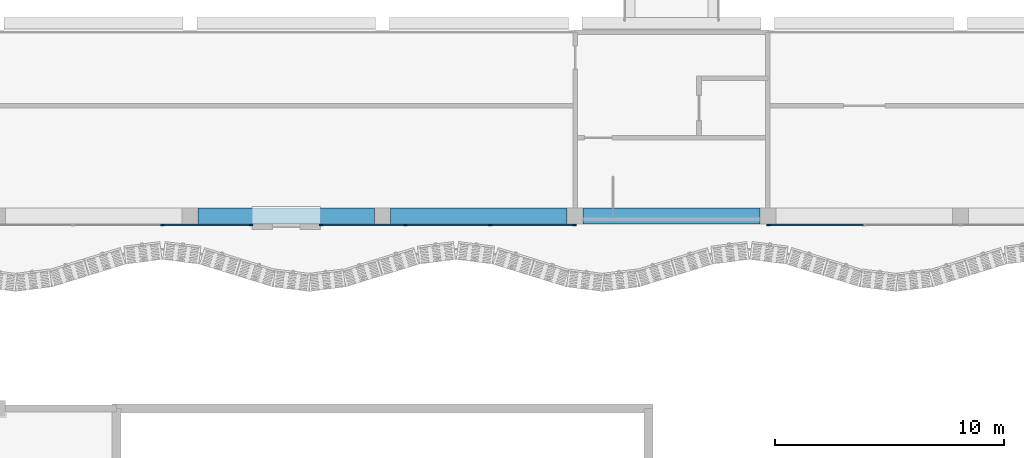
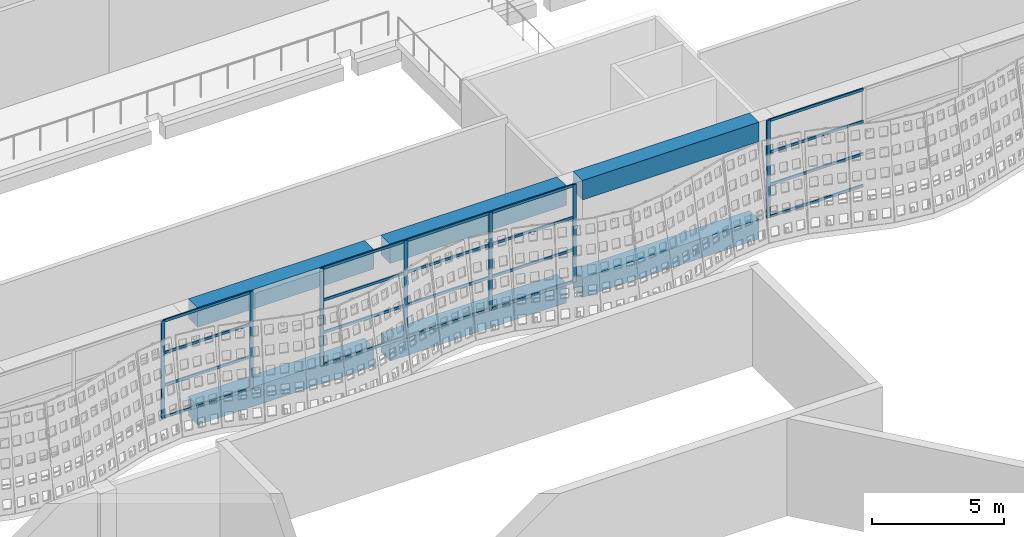
# One storey, part 52 of 162: 27 members, 6 beams, 3 elements without a shape of their own.
"""IFC4 building model written with IfcOpenShell, lengths in metres."""

import ifcopenshell
import ifcopenshell.guid

model = None  # the IFC model being written
_history = None  # IfcOwnerHistory: only IFC2X3 demands one
_inside = {}  # id of a spatial element -> (the spatial element, [elements in it])
_under = {}  # id of a project, library or spatial element -> (it, [spatial elements below it])
_declared = {}  # id of a project -> (the project, [libraries it declares])
_typed = {}  # id of a type object -> (the type object, [elements of that type])
_made_of = {}  # id of a material, layer set ... -> (it, [elements and type objects made of it])


def new_model(schema):
    """Start an empty IFC model of exactly this schema.

    Asked for "IFC4X3", IfcOpenShell would pick the latest addendum, in which some entities
    have other attributes; the version numbers below select the first issue.
    IFC2X3 requires an IfcOwnerHistory on every rooted entity: one is made here for all.
    """
    global model, _history
    if schema == "IFC4X3":
        model = ifcopenshell.file(schema_version=(4, 3, 0, 0))
    else:
        model = ifcopenshell.file(schema=schema)
    _inside.clear()
    _under.clear()
    _declared.clear()
    _typed.clear()
    _made_of.clear()
    _history = None
    if model.schema == "IFC2X3":
        org = make("IfcOrganization", Name="unknown")
        user = make(
            "IfcPersonAndOrganization",
            ThePerson=make("IfcPerson", FamilyName="unknown"),
            TheOrganization=org,
        )
        app = make(
            "IfcApplication",
            ApplicationDeveloper=org,
            Version="unknown",
            ApplicationFullName="unknown",
            ApplicationIdentifier="unknown",
        )
        _history = make(
            "IfcOwnerHistory",
            OwningUser=user,
            OwningApplication=app,
            ChangeAction="ADDED",
            CreationDate=0,
        )
    return model


def make(cls, **values):
    """One entity of the class cls with the attributes given. An attribute that is None is left unset."""
    return model.create_entity(
        cls, **{name: value for name, value in values.items() if value is not None}
    )


def rooted(cls, **values):
    """An entity with a GlobalId (a new one), such as an element, a storey or a relation."""
    return make(cls, GlobalId=ifcopenshell.guid.new(), OwnerHistory=_history, **values)


def si_unit(unit_type, name, prefix=None):
    """IfcSIUnit, for example si_unit("LENGTHUNIT", "METRE", prefix="MILLI")."""
    return make("IfcSIUnit", UnitType=unit_type, Prefix=prefix, Name=name)


def assignment(units):
    """IfcUnitAssignment: the units of a project."""
    return None if units is None else make("IfcUnitAssignment", Units=units)


def point(xyz):
    """IfcCartesianPoint."""
    return None if xyz is None else make("IfcCartesianPoint", Coordinates=xyz)


def direction(xyz):
    """IfcDirection."""
    return None if xyz is None else make("IfcDirection", DirectionRatios=xyz)


def frame(location, z_axis=None, x_axis=None):
    """IfcAxis2Placement3D, a coordinate frame: its origin and axes. An axis left out is left unset."""
    return make(
        "IfcAxis2Placement3D",
        Location=point(location),
        Axis=direction(z_axis),
        RefDirection=direction(x_axis),
    )


def frame_2d(location, x_axis=None):
    """IfcAxis2Placement2D, a coordinate frame in the plane: its origin and x axis."""
    return make(
        "IfcAxis2Placement2D", Location=point(location), RefDirection=direction(x_axis)
    )


def origin():
    """The frame at (0, 0, 0) with its axes left unset."""
    return frame((0.0, 0.0, 0.0))


def origin_2d():
    """The frame at (0, 0) in the plane with its x axis left unset."""
    return frame_2d((0.0, 0.0))


def place(relative_to, where):
    """IfcLocalPlacement: puts the frame where relative to a parent placement (None: the world)."""
    return make(
        "IfcLocalPlacement", PlacementRelTo=relative_to, RelativePlacement=where
    )


def context(
    kind, dimensions, precision=None, world=None, true_north=None, identifier=None
):
    """IfcGeometricRepresentationContext, for example the 3D "Model" context."""
    return make(
        "IfcGeometricRepresentationContext",
        ContextIdentifier=identifier,
        ContextType=kind,
        CoordinateSpaceDimension=dimensions,
        Precision=precision,
        WorldCoordinateSystem=world,
        TrueNorth=true_north,
    )


def subcontext(parent, identifier, kind, view, scale=None):
    """IfcGeometricRepresentationSubContext, for example "Body" below "Model"."""
    return make(
        "IfcGeometricRepresentationSubContext",
        ContextIdentifier=identifier,
        ContextType=kind,
        ParentContext=parent,
        TargetScale=scale,
        TargetView=view,
    )


def project(units=None, contexts=None):
    """IfcProject with its units and contexts."""
    return rooted(
        "IfcProject",
        Name="project",
        RepresentationContexts=contexts,
        UnitsInContext=assignment(units),
    )


def spatial(cls, under=None, at=None, **own):
    """A site, building, storey or space (cls), placed at a placement, below another one or the project."""
    s = rooted(cls, ObjectPlacement=at, **own)
    if under is not None:
        _under.setdefault(under.id(), (under, []))[1].append(s)
    return s


def profile(cls, at=None, kind="AREA", **sizes):
    """A parametric profile (cls). Its sizes go by their IFC names, for example OverallWidth=200.0."""
    return make(cls, ProfileType=kind, Position=at, **sizes)


def rectangle(**sizes):
    """IfcRectangleProfileDef."""
    return profile("IfcRectangleProfileDef", **sizes)


def extrude(swept, where, along, depth):
    """IfcExtrudedAreaSolid: the profile swept, set in the frame where, extruded along a direction by depth."""
    return make(
        "IfcExtrudedAreaSolid",
        SweptArea=swept,
        Position=where,
        ExtrudedDirection=direction(along),
        Depth=depth,
    )


def shape(context_of_items, identifier, shape_type, items):
    """IfcShapeRepresentation: the items that make up one representation, for example the "Body"."""
    return make(
        "IfcShapeRepresentation",
        ContextOfItems=context_of_items,
        RepresentationIdentifier=identifier,
        RepresentationType=shape_type,
        Items=items,
    )


def material(Name=None, Category=None):
    """IfcMaterial."""
    return make("IfcMaterial", Name=Name, Category=Category)


def layer(
    of_material, thickness, ventilated=None, Name=None, Category=None, Priority=None
):
    """IfcMaterialLayer: one layer of a wall or slab, of a material (None: an air gap)."""
    return make(
        "IfcMaterialLayer",
        Material=of_material,
        LayerThickness=thickness,
        IsVentilated=ventilated,
        Name=Name,
        Category=Category,
        Priority=Priority,
    )


def layer_set(layers, Name=None):
    """IfcMaterialLayerSet."""
    return make("IfcMaterialLayerSet", MaterialLayers=layers, LayerSetName=Name)


def material_profile(
    of_material, cross_section, Name=None, Category=None, Priority=None
):
    """IfcMaterialProfile: a cross section and its material."""
    return make(
        "IfcMaterialProfile",
        Name=Name,
        Material=of_material,
        Profile=cross_section,
        Priority=Priority,
        Category=Category,
    )


def profile_set(profiles, Name=None, composite=None):
    """IfcMaterialProfileSet."""
    return make(
        "IfcMaterialProfileSet",
        Name=Name,
        MaterialProfiles=profiles,
        CompositeProfile=composite,
    )


def made_of(thing, what):
    """Note that an element or type object is made of a material, layer set ...; save() writes the relation."""
    if what is not None:
        _made_of.setdefault(what.id(), (what, []))[1].append(thing)
    return thing


def type_object(cls, material=None, **own):
    """A type object (cls), such as IfcWallType, which elements share."""
    return made_of(rooted(cls, **own), material)


def element(
    cls,
    number,
    at=None,
    inside=None,
    cuts=None,
    type_object=None,
    material=None,
    context=None,
    identifier="Body",
    shape_type=None,
    held_by="IfcProductDefinitionShape",
    body=None,
    shapes=None,
    **own,
):
    """One element of the class cls, such as IfcWall. Its Tag is "e" and its number.

    at: its placement. inside: the storey or other place that contains it. cuts: it is an
    opening in that element (IfcRelVoidsElement). A single representation is given by context,
    identifier, shape_type and body (its items); several are given by shapes. held_by: the class
    of the entity that holds the representations. save() writes the other relations.
    """
    e = rooted(cls, Tag="e%d" % number, ObjectPlacement=at, **own)
    if body is not None:
        shapes = [shape(context, identifier, shape_type, body)]
    if shapes is not None:
        e.Representation = make(held_by, Representations=shapes)
    if inside is not None:
        _inside.setdefault(inside.id(), (inside, []))[1].append(e)
    if cuts is not None:
        rooted(
            "IfcRelVoidsElement", RelatingBuildingElement=cuts, RelatedOpeningElement=e
        )
    if type_object is not None:
        _typed.setdefault(type_object.id(), (type_object, []))[1].append(e)
    return made_of(e, material)


def aggregate(whole, parts):
    """IfcRelAggregates: a whole, such as a stair, and the parts it consists of."""
    return rooted("IfcRelAggregates", RelatingObject=whole, RelatedObjects=parts)


def save(model, path):
    """Write the relations noted so far, then the file.

    IfcRelAggregates (storeys below a building ...), IfcRelContainedInSpatialStructure (elements
    in a storey), IfcRelDefinesByType, IfcRelAssociatesMaterial and IfcRelDeclares: one each for
    every whole, place, type object, material and project.
    """
    for whole, parts in _under.values():
        aggregate(whole, parts)
    for where, things in _inside.values():
        rooted(
            "IfcRelContainedInSpatialStructure",
            RelatedElements=things,
            RelatingStructure=where,
        )
    for kind, things in _typed.values():
        rooted("IfcRelDefinesByType", RelatedObjects=things, RelatingType=kind)
    for what, things in _made_of.values():
        rooted("IfcRelAssociatesMaterial", RelatedObjects=things, RelatingMaterial=what)
    for by, libraries in _declared.values():
        rooted("IfcRelDeclares", RelatingContext=by, RelatedDefinitions=libraries)
    model.write(path)


model = new_model("IFC4")

# Units and contexts
model_context = context("Model", 3, precision=1e-05, world=origin(), true_north=direction((0.0, 1.0)))
body_context = subcontext(model_context, "Body", "Model", "MODEL_VIEW")
ifc_project = project(units=[si_unit("LENGTHUNIT", "METRE"), si_unit("AREAUNIT", "SQUARE_METRE"), si_unit("VOLUMEUNIT", "CUBIC_METRE"), si_unit("PLANEANGLEUNIT", "RADIAN"), si_unit("MASSUNIT", "GRAM", prefix="KILO")], contexts=[model_context])

# Site, building, storey
site_placement = place(None, origin())
site = spatial("IfcSite", under=ifc_project, at=site_placement, CompositionType="ELEMENT")
building_placement = place(site_placement, origin())
building = spatial("IfcBuilding", under=site, at=building_placement, Name="Rain Tree Exposition and Congress Centre", CompositionType="ELEMENT")
storey_placement = place(building_placement, frame((0.0, 0.0, 6.0)))
storey = spatial("IfcBuildingStorey", under=building, at=storey_placement, Name="L01", CompositionType="ELEMENT", Elevation=6.0)

# Curtain wall, members
ifc_material_1 = material(Name="Aluminium curtain wall system", Category="aluminium")
ifc_layer = layer(ifc_material_1, 0.10009765625)
ifc_layer_set = layer_set([ifc_layer], Name="Aluminium curtain wall system")
curtain_wall_type = type_object("IfcCurtainWallType", Name="Concourse curtain wall 4200 module", PredefinedType="NOTDEFINED", material=ifc_layer_set)
curtain_wall_1_placement = place(storey_placement, origin())
curtain_wall_1 = element("IfcCurtainWall", 1, at=curtain_wall_1_placement, inside=storey, type_object=curtain_wall_type, Name="Concourse curtain wall CWC26", PredefinedType="NOTDEFINED")
ifc_material_2 = material(Name="Aluminium mullion", Category="aluminium")
ifc_material_profile_1 = material_profile(ifc_material_2, rectangle(XDim=0.06005859375, YDim=0.159912109375, at=origin_2d()), Name="AL 60x160")
ifc_profile_set_1 = profile_set([ifc_material_profile_1], Name="Aluminium mullion")
member_type_1 = type_object("IfcMemberType", Name="Concourse curtain wall mullion 60x160", PredefinedType="MULLION", material=ifc_profile_set_1)
member_1_placement = place(storey_placement, frame((192.0, 75.199951171875, 0.0), z_axis=(0.0, 0.0, 1.0), x_axis=(0.0, 1.0, 0.0)))
member_1 = element("IfcMember", 2, at=member_1_placement, type_object=member_type_1, Name="CWC26 mullion 5", PredefinedType="MULLION", context=body_context, shape_type="SweptSolid", body=[
    extrude(rectangle(XDim=0.06005859375, YDim=0.159912109375, at=origin_2d()), origin(), (0.0, 0.0, 1.0), 4.5),
])
member_2_placement = place(storey_placement, frame((195.8701171875, 75.199951171875, 0.0), z_axis=(0.0, 0.0, 1.0), x_axis=(0.0, 1.0, 0.0)))
member_2 = element("IfcMember", 3, at=member_2_placement, type_object=member_type_1, Name="CWC26 mullion 6", PredefinedType="MULLION", context=body_context, shape_type="SweptSolid", body=[
    extrude(rectangle(XDim=0.06005859375, YDim=0.159912109375, at=origin_2d()), origin(), (0.0, 0.0, 1.0), 4.5),
])

curtain_wall_2_placement = place(storey_placement, origin())
curtain_wall_2 = element("IfcCurtainWall", 4, at=curtain_wall_2_placement, inside=storey, type_object=curtain_wall_type, Name="Concourse curtain wall CWC27", PredefinedType="NOTDEFINED")
member_3_placement = place(storey_placement, frame((198.929931640625, 75.199951171875, 0.0), z_axis=(0.0, 0.0, 1.0), x_axis=(0.0, 1.0, 0.0)))
member_3 = element("IfcMember", 5, at=member_3_placement, type_object=member_type_1, Name="CWC27 mullion 1", PredefinedType="MULLION", context=body_context, shape_type="SweptSolid", body=[
    extrude(rectangle(XDim=0.06005859375, YDim=0.159912109375, at=origin_2d()), origin(), (0.0, 0.0, 1.0), 4.5),
])
member_4_placement = place(storey_placement, frame((202.60009765625, 75.199951171875, 0.0), z_axis=(0.0, 0.0, 1.0), x_axis=(0.0, 1.0, 0.0)))
member_4 = element("IfcMember", 6, at=member_4_placement, type_object=member_type_1, Name="CWC27 mullion 2", PredefinedType="MULLION", context=body_context, shape_type="SweptSolid", body=[
    extrude(rectangle(XDim=0.06005859375, YDim=0.159912109375, at=origin_2d()), origin(), (0.0, 0.0, 1.0), 4.5),
])
member_5_placement = place(storey_placement, frame((206.300048828125, 75.199951171875, 0.0), z_axis=(0.0, 0.0, 1.0), x_axis=(0.0, 1.0, 0.0)))
member_5 = element("IfcMember", 7, at=member_5_placement, type_object=member_type_1, Name="CWC27 mullion 3", PredefinedType="MULLION", context=body_context, shape_type="SweptSolid", body=[
    extrude(rectangle(XDim=0.06005859375, YDim=0.159912109375, at=origin_2d()), origin(), (0.0, 0.0, 1.0), 4.5),
])
member_6_placement = place(storey_placement, frame((209.969970703125, 75.199951171875, 0.0), z_axis=(0.0, 0.0, 1.0), x_axis=(0.0, 1.0, 0.0)))
member_6 = element("IfcMember", 8, at=member_6_placement, type_object=member_type_1, Name="CWC27 mullion 4", PredefinedType="MULLION", context=body_context, shape_type="SweptSolid", body=[
    extrude(rectangle(XDim=0.06005859375, YDim=0.159912109375, at=origin_2d()), origin(), (0.0, 0.0, 1.0), 4.5),
])

# Curtain wall, member
curtain_wall_3_placement = place(storey_placement, origin())
curtain_wall_3 = element("IfcCurtainWall", 9, at=curtain_wall_3_placement, inside=storey, type_object=curtain_wall_type, Name="Concourse curtain wall CWC28", PredefinedType="NOTDEFINED")
member_7_placement = place(storey_placement, frame((218.429931640625, 75.199951171875, 0.0), z_axis=(0.0, 0.0, 1.0), x_axis=(0.0, 1.0, 0.0)))
member_7 = element("IfcMember", 10, at=member_7_placement, type_object=member_type_1, Name="CWC28 mullion 1", PredefinedType="MULLION", context=body_context, shape_type="SweptSolid", body=[
    extrude(rectangle(XDim=0.06005859375, YDim=0.159912109375, at=origin_2d()), origin(), (0.0, 0.0, 1.0), 4.5),
])

# Member
ifc_material_3 = material(Name="Aluminium transom", Category="aluminium")
ifc_material_profile_2 = material_profile(ifc_material_3, rectangle(XDim=0.06005859375, YDim=0.1201171875, at=origin_2d()), Name="AL 60x120")
ifc_profile_set_2 = profile_set([ifc_material_profile_2], Name="Aluminium transom")
member_type_2 = type_object("IfcMemberType", Name="Concourse curtain wall transom 60x120", PredefinedType="USERDEFINED", material=ifc_profile_set_2)
member_8_placement = place(storey_placement, frame((192.030029296875, 75.199951171875, 0.030029296875), z_axis=(1.0, 0.0, 0.0), x_axis=(0.0, 1.0, 0.0)))
member_8 = element("IfcMember", 11, at=member_8_placement, type_object=member_type_2, Name="CWC26 transom 5.1", ObjectType="TRANSOM", PredefinedType="USERDEFINED", context=body_context, shape_type="SweptSolid", body=[
    extrude(rectangle(XDim=0.06005859375, YDim=0.1201171875, at=origin_2d()), origin(), (0.0, 0.0, 1.0), 3.81005859375),
])

member_9_placement = place(storey_placement, frame((192.030029296875, 75.199951171875, 1.5), z_axis=(1.0, 0.0, 0.0), x_axis=(0.0, 1.0, 0.0)))
member_9 = element("IfcMember", 12, at=member_9_placement, type_object=member_type_2, Name="CWC26 transom 5.2", ObjectType="TRANSOM", PredefinedType="USERDEFINED", context=body_context, shape_type="SweptSolid", body=[
    extrude(rectangle(XDim=0.06005859375, YDim=0.1201171875, at=origin_2d()), origin(), (0.0, 0.0, 1.0), 3.81005859375),
])

member_10_placement = place(storey_placement, frame((192.030029296875, 75.199951171875, 3.0), z_axis=(1.0, 0.0, 0.0), x_axis=(0.0, 1.0, 0.0)))
member_10 = element("IfcMember", 13, at=member_10_placement, type_object=member_type_2, Name="CWC26 transom 5.3", ObjectType="TRANSOM", PredefinedType="USERDEFINED", context=body_context, shape_type="SweptSolid", body=[
    extrude(rectangle(XDim=0.06005859375, YDim=0.1201171875, at=origin_2d()), origin(), (0.0, 0.0, 1.0), 3.81005859375),
])

member_11_placement = place(storey_placement, frame((192.030029296875, 75.199951171875, 4.469970703125), z_axis=(1.0, 0.0, 0.0), x_axis=(0.0, 1.0, 0.0)))
member_11 = element("IfcMember", 14, at=member_11_placement, type_object=member_type_2, Name="CWC26 transom 5.4", ObjectType="TRANSOM", PredefinedType="USERDEFINED", context=body_context, shape_type="SweptSolid", body=[
    extrude(rectangle(XDim=0.06005859375, YDim=0.1201171875, at=origin_2d()), origin(), (0.0, 0.0, 1.0), 3.81005859375),
])

aggregate(curtain_wall_1, [member_1, member_2, member_8, member_9, member_10, member_11])

member_12_placement = place(storey_placement, frame((198.9599609375, 75.199951171875, 0.030029296875), z_axis=(1.0, 0.0, 0.0), x_axis=(0.0, 1.0, 0.0)))
member_12 = element("IfcMember", 15, at=member_12_placement, type_object=member_type_2, Name="CWC27 transom 1.1", ObjectType="TRANSOM", PredefinedType="USERDEFINED", context=body_context, shape_type="SweptSolid", body=[
    extrude(rectangle(XDim=0.06005859375, YDim=0.1201171875, at=origin_2d()), origin(), (0.0, 0.0, 1.0), 3.610107421875),
])

member_13_placement = place(storey_placement, frame((198.9599609375, 75.199951171875, 1.5), z_axis=(1.0, 0.0, 0.0), x_axis=(0.0, 1.0, 0.0)))
member_13 = element("IfcMember", 16, at=member_13_placement, type_object=member_type_2, Name="CWC27 transom 1.2", ObjectType="TRANSOM", PredefinedType="USERDEFINED", context=body_context, shape_type="SweptSolid", body=[
    extrude(rectangle(XDim=0.06005859375, YDim=0.1201171875, at=origin_2d()), origin(), (0.0, 0.0, 1.0), 3.610107421875),
])

member_14_placement = place(storey_placement, frame((198.9599609375, 75.199951171875, 3.0), z_axis=(1.0, 0.0, 0.0), x_axis=(0.0, 1.0, 0.0)))
member_14 = element("IfcMember", 17, at=member_14_placement, type_object=member_type_2, Name="CWC27 transom 1.3", ObjectType="TRANSOM", PredefinedType="USERDEFINED", context=body_context, shape_type="SweptSolid", body=[
    extrude(rectangle(XDim=0.06005859375, YDim=0.1201171875, at=origin_2d()), origin(), (0.0, 0.0, 1.0), 3.610107421875),
])

member_15_placement = place(storey_placement, frame((198.9599609375, 75.199951171875, 4.469970703125), z_axis=(1.0, 0.0, 0.0), x_axis=(0.0, 1.0, 0.0)))
member_15 = element("IfcMember", 18, at=member_15_placement, type_object=member_type_2, Name="CWC27 transom 1.4", ObjectType="TRANSOM", PredefinedType="USERDEFINED", context=body_context, shape_type="SweptSolid", body=[
    extrude(rectangle(XDim=0.06005859375, YDim=0.1201171875, at=origin_2d()), origin(), (0.0, 0.0, 1.0), 3.610107421875),
])

member_16_placement = place(storey_placement, frame((202.6298828125, 75.199951171875, 0.030029296875), z_axis=(1.0, 0.0, 0.0), x_axis=(0.0, 1.0, 0.0)))
member_16 = element("IfcMember", 19, at=member_16_placement, type_object=member_type_2, Name="CWC27 transom 2.1", ObjectType="TRANSOM", PredefinedType="USERDEFINED", context=body_context, shape_type="SweptSolid", body=[
    extrude(rectangle(XDim=0.06005859375, YDim=0.1201171875, at=origin_2d()), origin(), (0.0, 0.0, 1.0), 3.64013671875),
])

member_17_placement = place(storey_placement, frame((202.6298828125, 75.199951171875, 1.5), z_axis=(1.0, 0.0, 0.0), x_axis=(0.0, 1.0, 0.0)))
member_17 = element("IfcMember", 20, at=member_17_placement, type_object=member_type_2, Name="CWC27 transom 2.2", ObjectType="TRANSOM", PredefinedType="USERDEFINED", context=body_context, shape_type="SweptSolid", body=[
    extrude(rectangle(XDim=0.06005859375, YDim=0.1201171875, at=origin_2d()), origin(), (0.0, 0.0, 1.0), 3.64013671875),
])

member_18_placement = place(storey_placement, frame((202.6298828125, 75.199951171875, 3.0), z_axis=(1.0, 0.0, 0.0), x_axis=(0.0, 1.0, 0.0)))
member_18 = element("IfcMember", 21, at=member_18_placement, type_object=member_type_2, Name="CWC27 transom 2.3", ObjectType="TRANSOM", PredefinedType="USERDEFINED", context=body_context, shape_type="SweptSolid", body=[
    extrude(rectangle(XDim=0.06005859375, YDim=0.1201171875, at=origin_2d()), origin(), (0.0, 0.0, 1.0), 3.64013671875),
])

member_19_placement = place(storey_placement, frame((202.6298828125, 75.199951171875, 4.469970703125), z_axis=(1.0, 0.0, 0.0), x_axis=(0.0, 1.0, 0.0)))
member_19 = element("IfcMember", 22, at=member_19_placement, type_object=member_type_2, Name="CWC27 transom 2.4", ObjectType="TRANSOM", PredefinedType="USERDEFINED", context=body_context, shape_type="SweptSolid", body=[
    extrude(rectangle(XDim=0.06005859375, YDim=0.1201171875, at=origin_2d()), origin(), (0.0, 0.0, 1.0), 3.64013671875),
])

member_20_placement = place(storey_placement, frame((206.330078125, 75.199951171875, 0.030029296875), z_axis=(1.0, 0.0, 0.0), x_axis=(0.0, 1.0, 0.0)))
member_20 = element("IfcMember", 23, at=member_20_placement, type_object=member_type_2, Name="CWC27 transom 3.1", ObjectType="TRANSOM", PredefinedType="USERDEFINED", context=body_context, shape_type="SweptSolid", body=[
    extrude(rectangle(XDim=0.06005859375, YDim=0.1201171875, at=origin_2d()), origin(), (0.0, 0.0, 1.0), 3.60986328125),
])

member_21_placement = place(storey_placement, frame((206.330078125, 75.199951171875, 1.5), z_axis=(1.0, 0.0, 0.0), x_axis=(0.0, 1.0, 0.0)))
member_21 = element("IfcMember", 24, at=member_21_placement, type_object=member_type_2, Name="CWC27 transom 3.2", ObjectType="TRANSOM", PredefinedType="USERDEFINED", context=body_context, shape_type="SweptSolid", body=[
    extrude(rectangle(XDim=0.06005859375, YDim=0.1201171875, at=origin_2d()), origin(), (0.0, 0.0, 1.0), 3.60986328125),
])

member_22_placement = place(storey_placement, frame((206.330078125, 75.199951171875, 3.0), z_axis=(1.0, 0.0, 0.0), x_axis=(0.0, 1.0, 0.0)))
member_22 = element("IfcMember", 25, at=member_22_placement, type_object=member_type_2, Name="CWC27 transom 3.3", ObjectType="TRANSOM", PredefinedType="USERDEFINED", context=body_context, shape_type="SweptSolid", body=[
    extrude(rectangle(XDim=0.06005859375, YDim=0.1201171875, at=origin_2d()), origin(), (0.0, 0.0, 1.0), 3.60986328125),
])

member_23_placement = place(storey_placement, frame((206.330078125, 75.199951171875, 4.469970703125), z_axis=(1.0, 0.0, 0.0), x_axis=(0.0, 1.0, 0.0)))
member_23 = element("IfcMember", 26, at=member_23_placement, type_object=member_type_2, Name="CWC27 transom 3.4", ObjectType="TRANSOM", PredefinedType="USERDEFINED", context=body_context, shape_type="SweptSolid", body=[
    extrude(rectangle(XDim=0.06005859375, YDim=0.1201171875, at=origin_2d()), origin(), (0.0, 0.0, 1.0), 3.60986328125),
])

aggregate(curtain_wall_2, [member_3, member_4, member_5, member_6, member_12, member_13, member_14, member_15, member_16, member_17, member_18, member_19, member_20, member_21, member_22, member_23])

member_24_placement = place(storey_placement, frame((218.4599609375, 75.199951171875, 0.030029296875), z_axis=(1.0, 0.0, 0.0), x_axis=(0.0, 1.0, 0.0)))
member_24 = element("IfcMember", 27, at=member_24_placement, type_object=member_type_2, Name="CWC28 transom 1.1", ObjectType="TRANSOM", PredefinedType="USERDEFINED", context=body_context, shape_type="SweptSolid", body=[
    extrude(rectangle(XDim=0.06005859375, YDim=0.1201171875, at=origin_2d()), origin(), (0.0, 0.0, 1.0), 4.110107421875),
])

member_25_placement = place(storey_placement, frame((218.4599609375, 75.199951171875, 1.5), z_axis=(1.0, 0.0, 0.0), x_axis=(0.0, 1.0, 0.0)))
member_25 = element("IfcMember", 28, at=member_25_placement, type_object=member_type_2, Name="CWC28 transom 1.2", ObjectType="TRANSOM", PredefinedType="USERDEFINED", context=body_context, shape_type="SweptSolid", body=[
    extrude(rectangle(XDim=0.06005859375, YDim=0.1201171875, at=origin_2d()), origin(), (0.0, 0.0, 1.0), 4.110107421875),
])

member_26_placement = place(storey_placement, frame((218.4599609375, 75.199951171875, 3.0), z_axis=(1.0, 0.0, 0.0), x_axis=(0.0, 1.0, 0.0)))
member_26 = element("IfcMember", 29, at=member_26_placement, type_object=member_type_2, Name="CWC28 transom 1.3", ObjectType="TRANSOM", PredefinedType="USERDEFINED", context=body_context, shape_type="SweptSolid", body=[
    extrude(rectangle(XDim=0.06005859375, YDim=0.1201171875, at=origin_2d()), origin(), (0.0, 0.0, 1.0), 4.110107421875),
])

member_27_placement = place(storey_placement, frame((218.4599609375, 75.199951171875, 4.469970703125), z_axis=(1.0, 0.0, 0.0), x_axis=(0.0, 1.0, 0.0)))
member_27 = element("IfcMember", 30, at=member_27_placement, type_object=member_type_2, Name="CWC28 transom 1.4", ObjectType="TRANSOM", PredefinedType="USERDEFINED", context=body_context, shape_type="SweptSolid", body=[
    extrude(rectangle(XDim=0.06005859375, YDim=0.1201171875, at=origin_2d()), origin(), (0.0, 0.0, 1.0), 4.110107421875),
])

aggregate(curtain_wall_3, [member_7, member_24, member_25, member_26, member_27])

# Beams
ifc_material_4 = material(Name="Precast concrete C50/60", Category="concrete")
ifc_material_profile_3 = material_profile(ifc_material_4, rectangle(XDim=0.699951171875, YDim=0.89990234375, at=origin_2d()), Name="RC 700x900")
ifc_profile_set_3 = profile_set([ifc_material_profile_3], Name="Precast concrete C50/60")
beam_type = type_object("IfcBeamType", Name="Precast beam 700x900", PredefinedType="BEAM", material=ifc_profile_set_3)
for number, where, z_axis, x_axis, name in (
    (31, (193.550048828125, 75.60009765625, -0.449951171875), (1.0, 0.0, 0.0), (0.0, 1.0, 0.0), "Concourse edge beam 24"),
    (32, (201.949951171875, 75.60009765625, -0.449951171875), (1.0, 0.0, 0.0), (0.0, 1.0, 0.0), "Concourse edge beam 25"),
    (33, (210.35009765625, 75.60009765625, -0.449951171875), (1.0, 0.0, 0.0), (0.0, 1.0, 0.0), "Concourse edge beam 26"),
    (34, (193.550048828125, 75.60009765625, 4.050048828125), (1.0, 0.0, 0.0), (0.0, 1.0, 0.0), "Concourse roof edge beam 24"),
    (35, (201.949951171875, 75.60009765625, 4.050048828125), (1.0, 0.0, 0.0), (0.0, 1.0, 0.0), "Concourse roof edge beam 25"),
    (36, (210.35009765625, 75.60009765625, 4.050048828125), (1.0, 0.0, 0.0), (0.0, 1.0, 0.0), "Concourse roof edge beam 26"),
):
    element("IfcBeam", number, at=place(storey_placement, frame(where, z_axis=z_axis, x_axis=x_axis)), inside=storey, type_object=beam_type, Name=name, PredefinedType="BEAM", context=body_context, shape_type="SweptSolid", body=[
        extrude(rectangle(XDim=0.699951171875, YDim=0.89990234375, at=origin_2d()), origin(), (0.0, 0.0, 1.0), 7.699951171875),
    ])

save(model, "model.ifc")
